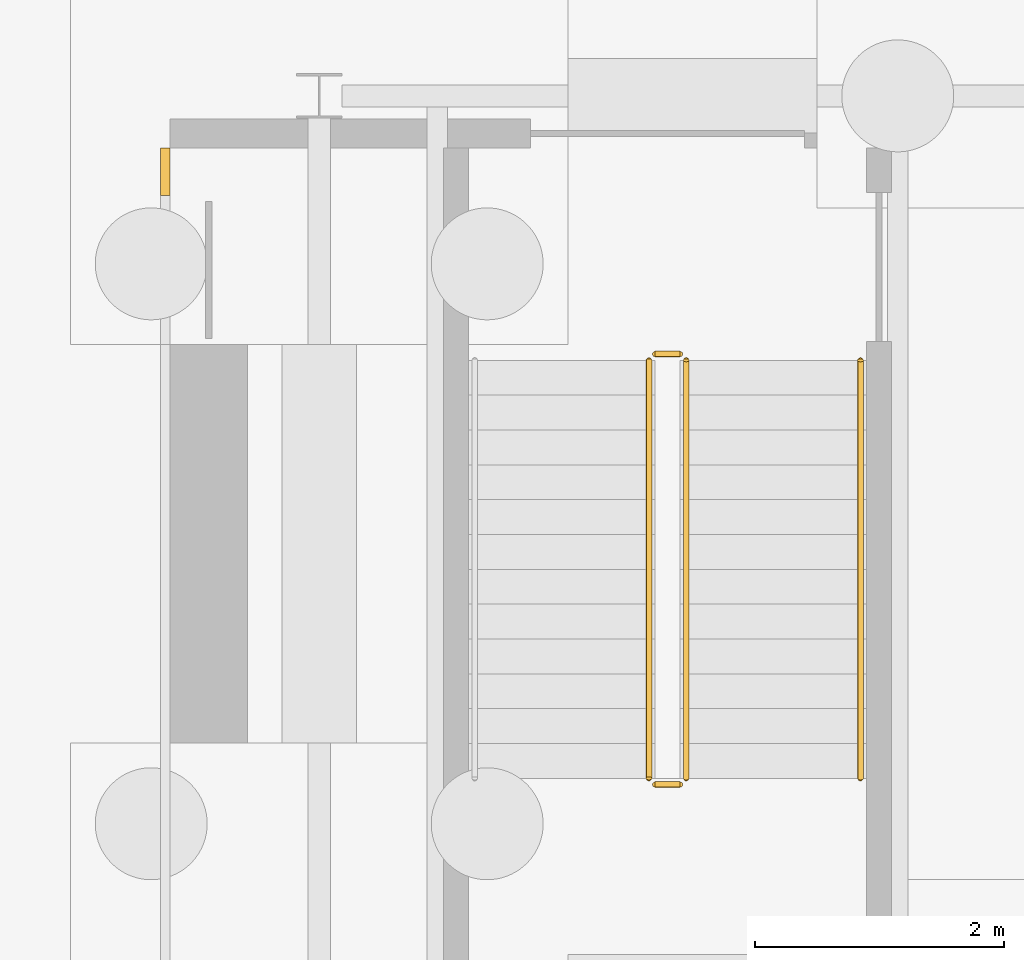
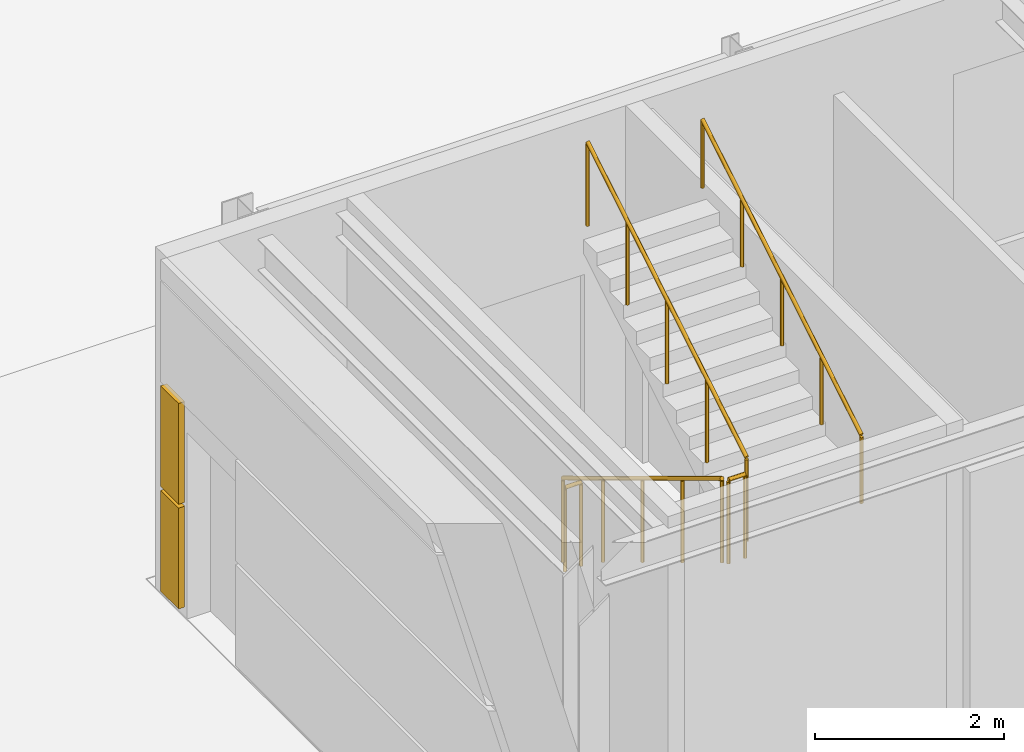
# One storey, part 123 of 139: 5 railings, 2 coverings.
"""IFC4 building model written with IfcOpenShell, lengths in metres."""

from ifc_helpers import new_model, si_unit, direction, frame, origin, origin_2d, place, context, subcontext, project, spatial, rectangle, circle, extrude, material, layer, layer_set, type_object, element, save


model = new_model("IFC4")

# Units and contexts
model_context = context("Model", 3, precision=1e-05, world=origin(), true_north=direction((0.0, 1.0)))
body_context = subcontext(model_context, "Body", "Model", "MODEL_VIEW")
ifc_project = project(units=[si_unit("LENGTHUNIT", "METRE"), si_unit("AREAUNIT", "SQUARE_METRE"), si_unit("VOLUMEUNIT", "CUBIC_METRE"), si_unit("PLANEANGLEUNIT", "RADIAN"), si_unit("MASSUNIT", "GRAM", prefix="KILO")], contexts=[model_context])

# Site, building, storey
site_placement = place(None, origin())
site = spatial("IfcSite", under=ifc_project, at=site_placement, CompositionType="ELEMENT")
building_placement = place(site_placement, origin())
building = spatial("IfcBuilding", under=site, at=building_placement, Name="Verrick Yard Athletic Hall", CompositionType="ELEMENT")
storey_placement = place(building_placement, origin())
storey = spatial("IfcBuildingStorey", under=building, at=storey_placement, Name="L00", CompositionType="ELEMENT", Elevation=0.0)

# Railings
ifc_material_1 = material(Name="Stainless steel", Category="steel")
railing_type_1 = type_object("IfcRailingType", Name="Stair and core guard 1100", PredefinedType="GUARDRAIL", material=ifc_material_1)
railing_1_placement = place(storey_placement, frame((30.64990234375, 105.875, 0.169189453125)))
element("IfcRailing", 1, at=railing_1_placement, inside=storey, type_object=railing_type_1, Name="L00 Sports Hall B west band stair guard 1", PredefinedType="GUARDRAIL", context=body_context, shape_type="SweptSolid", body=[
    extrude(circle(Radius=0.02392578125, at=origin_2d()), frame((0.0, 0.0, 1.076171875), z_axis=(0.0, -0.855836976705, 0.517245656632), x_axis=(1.0, 0.0, 0.0)), (0.0, 0.0, 1.0), 3.926025390625),
    extrude(circle(Radius=0.02099609375, at=origin_2d()), origin(), (0.0, 0.0, 1.0), 1.052001953125),
    extrude(circle(Radius=0.02099609375, at=origin_2d()), frame((0.0, -0.840087890625, 0.5078125)), (0.0, 0.0, 1.0), 1.052001953125),
    extrude(circle(Radius=0.02099609375, at=origin_2d()), frame((0.0, -1.68017578125, 1.015380859375)), (0.0, 0.0, 1.0), 1.052001953125),
    extrude(circle(Radius=0.02099609375, at=origin_2d()), frame((0.0, -2.52001953125, 1.52294921875)), (0.0, 0.0, 1.0), 1.052001953125),
    extrude(circle(Radius=0.02099609375, at=origin_2d()), frame((0.0, -3.360107421875, 2.03076171875)), (0.0, 0.0, 1.0), 1.052001953125),
])
railing_2_placement = place(storey_placement, frame((30.699951171875, 102.465087890625, 2.199951171875)))
element("IfcRailing", 2, at=railing_2_placement, inside=storey, type_object=railing_type_1, Name="L00 Sports Hall B west band stair guard 2", PredefinedType="GUARDRAIL", context=body_context, shape_type="SweptSolid", body=[
    extrude(circle(Radius=0.02392578125, at=origin_2d()), frame((0.0, 0.0, 1.076171875), z_axis=(1.0, 0.0, 0.0), x_axis=(0.0, 1.0, 0.0)), (0.0, 0.0, 1.0), 0.199951171875),
    extrude(circle(Radius=0.02099609375, at=origin_2d()), origin(), (0.0, 0.0, 1.0), 1.052001953125),
    extrude(circle(Radius=0.02099609375, at=origin_2d()), frame((0.199951171875, 0.0, 0.0)), (0.0, 0.0, 1.0), 1.052001953125),
])
railing_3_placement = place(storey_placement, frame((30.949951171875, 102.514892578125, 2.369140625)))
element("IfcRailing", 3, at=railing_3_placement, inside=storey, type_object=railing_type_1, Name="L00 Sports Hall B west band stair guard 3", PredefinedType="GUARDRAIL", context=body_context, shape_type="SweptSolid", body=[
    extrude(circle(Radius=0.02392578125, at=origin_2d()), frame((0.0, 0.0, 1.076171875), z_axis=(0.0, 0.855836976705, 0.517245656632), x_axis=(-1.0, 0.0, 0.0)), (0.0, 0.0, 1.0), 3.926025390625),
    extrude(circle(Radius=0.02099609375, at=origin_2d()), origin(), (0.0, 0.0, 1.0), 1.052001953125),
    extrude(circle(Radius=0.02099609375, at=origin_2d()), frame((0.0, 0.840087890625, 0.5078125)), (0.0, 0.0, 1.0), 1.052001953125),
    extrude(circle(Radius=0.02099609375, at=origin_2d()), frame((0.0, 1.68017578125, 1.015380859375)), (0.0, 0.0, 1.0), 1.052001953125),
    extrude(circle(Radius=0.02099609375, at=origin_2d()), frame((0.0, 2.52001953125, 1.52294921875)), (0.0, 0.0, 1.0), 1.052001953125),
    extrude(circle(Radius=0.02099609375, at=origin_2d()), frame((0.0, 3.360107421875, 2.03076171875)), (0.0, 0.0, 1.0), 1.052001953125),
])
railing_4_placement = place(storey_placement, frame((30.699951171875, 105.925048828125, 0.0)))
element("IfcRailing", 4, at=railing_4_placement, inside=storey, type_object=railing_type_1, Name="L00 Sports Hall B west band stair guard 4", PredefinedType="GUARDRAIL", context=body_context, shape_type="SweptSolid", body=[
    extrude(circle(Radius=0.02392578125, at=origin_2d()), frame((0.0, 0.0, 1.076171875), z_axis=(1.0, 0.0, 0.0), x_axis=(0.0, 1.0, 0.0)), (0.0, 0.0, 1.0), 0.199951171875),
    extrude(circle(Radius=0.02099609375, at=origin_2d()), origin(), (0.0, 0.0, 1.0), 1.052001953125),
    extrude(circle(Radius=0.02099609375, at=origin_2d()), frame((0.199951171875, 0.0, 0.0)), (0.0, 0.0, 1.0), 1.052001953125),
])
railing_type_2 = type_object("IfcRailingType", Name="Stair handrail 900", PredefinedType="HANDRAIL", material=ifc_material_1)
railing_5_placement = place(storey_placement, frame((32.35009765625, 102.514892578125, 2.369140625)))
element("IfcRailing", 5, at=railing_5_placement, inside=storey, type_object=railing_type_2, Name="L00 Sports Hall B west band stair handrail 2", PredefinedType="HANDRAIL", context=body_context, shape_type="SweptSolid", body=[
    extrude(circle(Radius=0.02392578125, at=origin_2d()), frame((0.0, 0.0, 0.8759765625), z_axis=(0.0, 0.855836976705, 0.517245656632), x_axis=(-1.0, 0.0, 0.0)), (0.0, 0.0, 1.0), 3.926025390625),
    extrude(circle(Radius=0.02099609375, at=origin_2d()), origin(), (0.0, 0.0, 1.0), 0.851806640625),
    extrude(circle(Radius=0.02099609375, at=origin_2d()), frame((0.0, 0.840087890625, 0.5078125)), (0.0, 0.0, 1.0), 0.851806640625),
    extrude(circle(Radius=0.02099609375, at=origin_2d()), frame((0.0, 1.68017578125, 1.015380859375)), (0.0, 0.0, 1.0), 0.851806640625),
    extrude(circle(Radius=0.02099609375, at=origin_2d()), frame((0.0, 2.52001953125, 1.52294921875)), (0.0, 0.0, 1.0), 0.851806640625),
    extrude(circle(Radius=0.02099609375, at=origin_2d()), frame((0.0, 3.360107421875, 2.03076171875)), (0.0, 0.0, 1.0), 0.851806640625),
])

# Coverings
ifc_material_2 = material(Name="Tyndall-stone-look precast cladding", Category="masonry")
ifc_layer = layer(ifc_material_2, 0.125)
ifc_layer_set = layer_set([ifc_layer], Name="Stone cladding")
covering_type = type_object("IfcCoveringType", Name="Stone cladding", PredefinedType="CLADDING", material=ifc_layer_set)
for number, where, z_axis, x_axis, name in (
    (6, (26.762451171875, 107.391357421875, 0.125), (0.0, 0.0, 1.0), (0.0, 1.0, 0.0), "Hall base rustication"),
    (7, (26.762451171875, 107.391357421875, 1.47509765625), (0.0, 0.0, 1.0), (0.0, 1.0, 0.0), "Hall base rustication"),
):
    element("IfcCovering", number, at=place(storey_placement, frame(where, z_axis=z_axis, x_axis=x_axis)), inside=storey, type_object=covering_type, Name=name, PredefinedType="CLADDING", context=body_context, shape_type="SweptSolid", body=[
        extrude(rectangle(XDim=0.380859375, YDim=0.074951171875, at=origin_2d()), origin(), (0.0, 0.0, 1.0), 1.300048828125),
    ])

save(model, "model.ifc")
